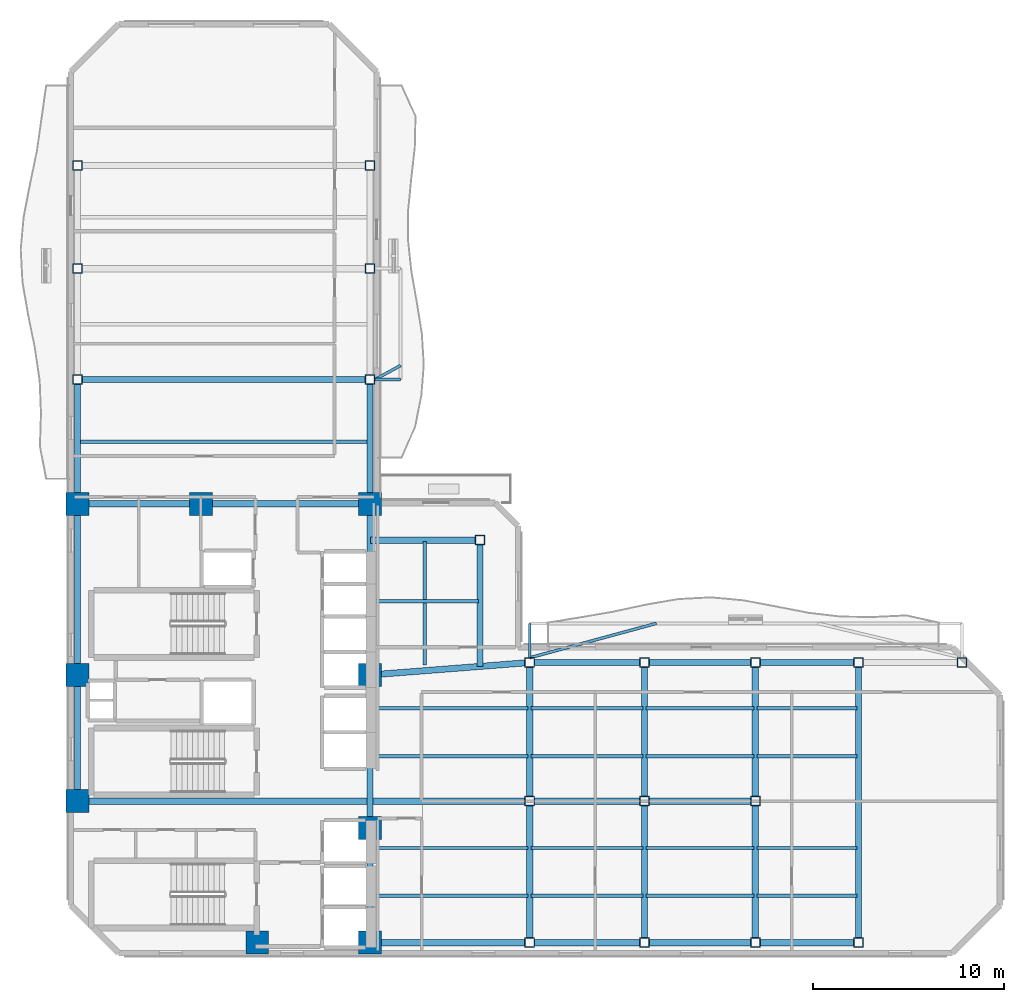
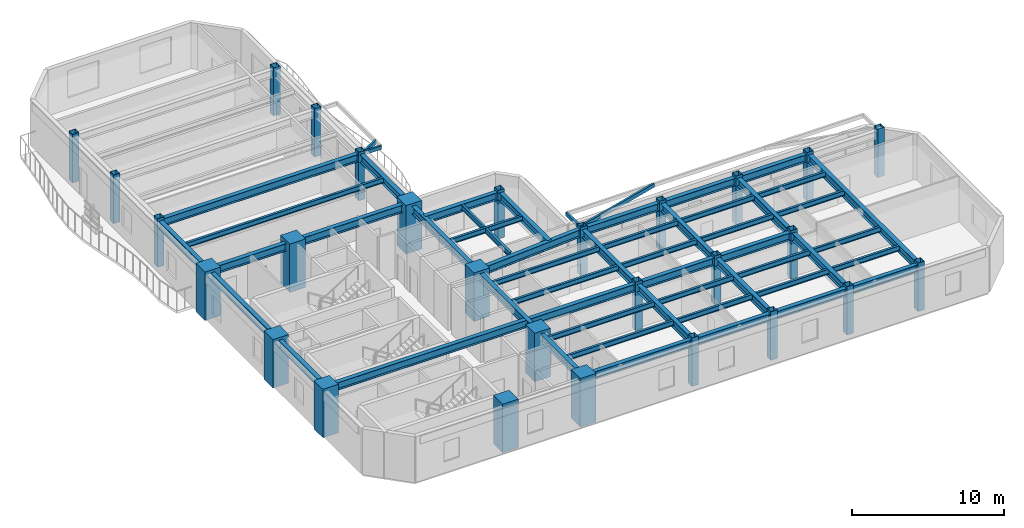
# One storey, part 1 of 12: 53 beams, 28 columns.
"""IFC4 building model written with IfcOpenShell, lengths in metres."""

from ifc_helpers import new_model, si_unit, direction, frame, origin, origin_2d, place, context, subcontext, project, spatial, rectangle, hollow_rectangle, i_section, extrude, material, material_profile, profile_set, type_object, element, save


model = new_model("IFC4")

# Units and contexts
model_context = context("Model", 3, precision=1e-05, world=origin(), true_north=direction((0.0, 1.0)))
body_context = subcontext(model_context, "Body", "Model", "MODEL_VIEW")
ifc_project = project(units=[si_unit("LENGTHUNIT", "METRE"), si_unit("AREAUNIT", "SQUARE_METRE"), si_unit("VOLUMEUNIT", "CUBIC_METRE"), si_unit("PLANEANGLEUNIT", "RADIAN"), si_unit("MASSUNIT", "GRAM", prefix="KILO")], contexts=[model_context])

# Site, building, storey
site_placement = place(None, origin())
site = spatial("IfcSite", under=ifc_project, at=site_placement, CompositionType="ELEMENT")
building_placement = place(site_placement, origin())
building = spatial("IfcBuilding", under=site, at=building_placement, Name="Mawjaban Terraces University", CompositionType="ELEMENT")
storey_placement = place(building_placement, frame((0.0, 0.0, 150.199951171875)))
storey = spatial("IfcBuildingStorey", under=building, at=storey_placement, Name="L36", CompositionType="ELEMENT", Elevation=150.199951171875)

# Columns
ifc_material_1 = material(Name="Concrete C60/75", Category="concrete")
ifc_material_profile_1 = material_profile(ifc_material_1, rectangle(XDim=1.199951171875, YDim=1.199951171875, at=origin_2d()), Name="RC1200X1200")
ifc_profile_set_1 = profile_set([ifc_material_profile_1], Name="Concrete C60/75")
column_type_1 = type_object("IfcColumnType", Name="Col_RC1200X1200", PredefinedType="COLUMN", material=ifc_profile_set_1)
for number, where, z_axis, x_axis, name in (
    (1, (31.75, 0.550048828125, 0.0), (0.0, 0.0, 1.0), (1.0, 0.0, 0.0), "L36 Column CC2"),
    (2, (37.64990234375, 0.550048828125, 0.0), (0.0, 0.0, 1.0), (1.0, 0.0, 0.0), "L36 Column CC3"),
    (3, (22.35009765625, 7.949951171875, 0.0), (0.0, 0.0, 1.0), (1.0, 0.0, 0.0), "L36 Column CC4"),
    (4, (37.64990234375, 6.550048828125, 0.0), (0.0, 0.0, 1.0), (1.0, 0.0, 0.0), "L36 Column CC5"),
    (5, (22.35009765625, 14.550048828125, 0.0), (0.0, 0.0, 1.0), (1.0, 0.0, 0.0), "L36 Column CC6"),
    (6, (37.64990234375, 14.550048828125, 0.0), (0.0, 0.0, 1.0), (1.0, 0.0, 0.0), "L36 Column CC7"),
    (7, (22.35009765625, 23.5, 0.0), (0.0, 0.0, 1.0), (1.0, 0.0, 0.0), "L36 Column CC8"),
    (8, (28.800048828125, 23.5, 0.0), (0.0, 0.0, 1.0), (1.0, 0.0, 0.0), "L36 Column CC9"),
    (9, (37.64990234375, 23.5, 0.0), (0.0, 0.0, 1.0), (1.0, 0.0, 0.0), "L36 Column CC10"),
):
    element("IfcColumn", number, at=place(storey_placement, frame(where, z_axis=z_axis, x_axis=x_axis)), inside=storey, type_object=column_type_1, Name=name, PredefinedType="COLUMN", context=body_context, shape_type="SweptSolid", body=[
        extrude(rectangle(XDim=1.199951171875, YDim=1.199951171875, at=origin_2d()), origin(), (0.0, 0.0, 1.0), 3.900146484375),
    ])
ifc_material_2 = material(Name="Steel EN 10210-1 S355J2H", Category="steel")
ifc_material_profile_2 = material_profile(ifc_material_2, hollow_rectangle(XDim=0.5, YDim=0.5, WallThickness=0.02490234375, at=origin_2d()), Name="SHS500X500X25")
ifc_profile_set_2 = profile_set([ifc_material_profile_2], Name="Steel EN 10210-1 S355J2H")
column_type_2 = type_object("IfcColumnType", Name="Col_SHS500X500X25", PredefinedType="COLUMN", material=ifc_profile_set_2)
for number, where, z_axis, x_axis, name in (
    (10, (46.0, 0.550048828125, 0.0), (0.0, 0.0, 1.0), (1.0, 0.0, 0.0), "L36 Column TE-460-005"),
    (11, (46.0, 7.949951171875, 0.0), (0.0, 0.0, 1.0), (1.0, 0.0, 0.0), "L36 Column TE-460-080"),
    (12, (46.0, 15.199951171875, 0.0), (0.0, 0.0, 1.0), (1.0, 0.0, 0.0), "L36 Column TE-460-152"),
    (13, (52.0, 0.550048828125, 0.0), (0.0, 0.0, 1.0), (1.0, 0.0, 0.0), "L36 Column TE-520-005"),
    (14, (52.0, 7.949951171875, 0.0), (0.0, 0.0, 1.0), (1.0, 0.0, 0.0), "L36 Column TE-520-080"),
    (15, (52.0, 15.199951171875, 0.0), (0.0, 0.0, 1.0), (1.0, 0.0, 0.0), "L36 Column TE-520-152"),
    (16, (57.800048828125, 0.550048828125, 0.0), (0.0, 0.0, 1.0), (1.0, 0.0, 0.0), "L36 Column TE-578-005"),
    (17, (57.800048828125, 7.949951171875, 0.0), (0.0, 0.0, 1.0), (1.0, 0.0, 0.0), "L36 Column TE-578-080"),
    (18, (57.800048828125, 15.199951171875, 0.0), (0.0, 0.0, 1.0), (1.0, 0.0, 0.0), "L36 Column TE-578-152"),
    (19, (63.199951171875, 0.550048828125, 0.0), (0.0, 0.0, 1.0), (1.0, 0.0, 0.0), "L36 Column TE-632-005"),
    (20, (63.199951171875, 15.199951171875, 0.0), (0.0, 0.0, 1.0), (1.0, 0.0, 0.0), "L36 Column TE-632-152"),
    (21, (68.60009765625, 15.199951171875, 0.0), (0.0, 0.0, 1.0), (1.0, 0.0, 0.0), "L36 Column TE-686-152"),
    (22, (22.35009765625, 30.0, 0.0), (0.0, 0.0, 1.0), (1.0, 0.0, 0.0), "L36 Column TN-223-300"),
    (23, (37.64990234375, 30.0, 0.0), (0.0, 0.0, 1.0), (1.0, 0.0, 0.0), "L36 Column TN-376-300"),
    (24, (22.35009765625, 35.800048828125, 0.0), (0.0, 0.0, 1.0), (1.0, 0.0, 0.0), "L36 Column TN-223-358"),
    (25, (37.64990234375, 35.800048828125, 0.0), (0.0, 0.0, 1.0), (1.0, 0.0, 0.0), "L36 Column TN-376-358"),
    (26, (22.35009765625, 41.199951171875, 0.0), (0.0, 0.0, 1.0), (1.0, 0.0, 0.0), "L36 Column TN-223-412"),
    (27, (37.64990234375, 41.199951171875, 0.0), (0.0, 0.0, 1.0), (1.0, 0.0, 0.0), "L36 Column TN-376-412"),
    (28, (43.39990234375, 21.60009765625, 0.0), (0.0, 0.0, 1.0), (1.0, 0.0, 0.0), "L36 Column TS-434-216"),
):
    element("IfcColumn", number, at=place(storey_placement, frame(where, z_axis=z_axis, x_axis=x_axis)), inside=storey, type_object=column_type_2, Name=name, PredefinedType="COLUMN", context=body_context, shape_type="SweptSolid", body=[
        extrude(hollow_rectangle(XDim=0.5, YDim=0.5, WallThickness=0.02490234375, at=origin_2d()), origin(), (0.0, 0.0, 1.0), 3.900146484375),
    ])

# Beams
ifc_material_profile_3 = material_profile(ifc_material_2, hollow_rectangle(XDim=0.14990234375, YDim=0.300048828125, WallThickness=0.012451171875, at=origin_2d()), Name="RHS300X150X12.5")
ifc_profile_set_3 = profile_set([ifc_material_profile_3], Name="Steel EN 10210-1 S355J2H")
beam_type_1 = type_object("IfcBeamType", Name="BalconyCantileverSpandrel_RHS", PredefinedType="SPANDREL", material=ifc_profile_set_3)
beam_1_placement = place(storey_placement, frame((46.0, 15.449951171875, 3.5400390625), z_axis=(0.0, 1.0, 0.0), x_axis=(-1.0, 0.0, 0.0)))
element("IfcBeam", 29, at=beam_1_placement, inside=storey, type_object=beam_type_1, Name="L36 Exterior Outrigger BAL-L37-N.1", PredefinedType="SPANDREL", context=body_context, shape_type="SweptSolid", body=[
    extrude(hollow_rectangle(XDim=0.14990234375, YDim=0.300048828125, WallThickness=0.012451171875, at=origin_2d()), origin(), (0.0, 0.0, 1.0), 1.800048828125),
])
beam_2_placement = place(storey_placement, frame((46.0, 15.449951171875, 3.5400390625), z_axis=(0.965023464681, 0.262163522664, 0.0), x_axis=(-0.262163522664, 0.965023464681, 0.0)))
element("IfcBeam", 30, at=beam_2_placement, inside=storey, type_object=beam_type_1, Name="L36 Exterior Diagonal Strut BAL-L37-N.1", PredefinedType="SPANDREL", context=body_context, shape_type="SweptSolid", body=[
    extrude(hollow_rectangle(XDim=0.14990234375, YDim=0.300048828125, WallThickness=0.012451171875, at=origin_2d()), origin(), (0.0, 0.0, 1.0), 6.8662109375),
])
beam_3_placement = place(storey_placement, frame((37.89990234375, 30.0, 3.5400390625), z_axis=(1.0, 0.0, 0.0), x_axis=(0.0, 1.0, 0.0)))
element("IfcBeam", 31, at=beam_3_placement, inside=storey, type_object=beam_type_1, Name="L36 Exterior Outrigger BAL-L37-E.1", PredefinedType="SPANDREL", context=body_context, shape_type="SweptSolid", body=[
    extrude(hollow_rectangle(XDim=0.14990234375, YDim=0.300048828125, WallThickness=0.012451171875, at=origin_2d()), origin(), (0.0, 0.0, 1.0), 1.35009765625),
])
beam_4_placement = place(storey_placement, frame((37.89990234375, 30.0, 3.5400390625), z_axis=(0.878253422499, 0.478195489176, 0.0), x_axis=(-0.478195489176, 0.878253422499, 0.0)))
element("IfcBeam", 32, at=beam_4_placement, inside=storey, type_object=beam_type_1, Name="L36 Exterior Diagonal Strut BAL-L37-E.1", PredefinedType="SPANDREL", context=body_context, shape_type="SweptSolid", body=[
    extrude(hollow_rectangle(XDim=0.14990234375, YDim=0.300048828125, WallThickness=0.012451171875, at=origin_2d()), origin(), (0.0, 0.0, 1.0), 1.537353515625),
])
ifc_material_3 = material(Name="Steel ASTM A572 Grade 50", Category="steel")
ifc_material_profile_4 = material_profile(ifc_material_3, i_section(OverallWidth=0.324951171875, OverallDepth=0.615966796875, WebThickness=0.013916015625, FlangeThickness=0.021484375, at=origin_2d()), Name="W610X174")
ifc_profile_set_4 = profile_set([ifc_material_profile_4], Name="Steel ASTM A572 Grade 50")
beam_type_2 = type_object("IfcBeamType", Name="Beam_B_W610X174", PredefinedType="BEAM", material=ifc_profile_set_4)
beam_5_placement = place(storey_placement, frame((38.25, 0.550048828125, 3.382080078125), z_axis=(1.0, 0.0, 0.0), x_axis=(0.0, 1.0, 0.0)))
element("IfcBeam", 33, at=beam_5_placement, inside=storey, type_object=beam_type_2, Name="L36 Beam BM-L36-EW-01", PredefinedType="BEAM", context=body_context, shape_type="SweptSolid", body=[
    extrude(i_section(OverallWidth=0.324951171875, OverallDepth=0.615966796875, WebThickness=0.013916015625, FlangeThickness=0.021484375, at=origin_2d()), origin(), (0.0, 0.0, 1.0), 7.5),
])
beam_6_placement = place(storey_placement, frame((46.25, 0.550048828125, 3.382080078125), z_axis=(1.0, 0.0, 0.0), x_axis=(0.0, 1.0, 0.0)))
element("IfcBeam", 34, at=beam_6_placement, inside=storey, type_object=beam_type_2, Name="L36 Beam BM-L36-EW-02", PredefinedType="BEAM", context=body_context, shape_type="SweptSolid", body=[
    extrude(i_section(OverallWidth=0.324951171875, OverallDepth=0.615966796875, WebThickness=0.013916015625, FlangeThickness=0.021484375, at=origin_2d()), origin(), (0.0, 0.0, 1.0), 5.5),
])
beam_7_placement = place(storey_placement, frame((52.25, 0.550048828125, 3.382080078125), z_axis=(1.0, 0.0, 0.0), x_axis=(0.0, 1.0, 0.0)))
element("IfcBeam", 35, at=beam_7_placement, inside=storey, type_object=beam_type_2, Name="L36 Beam BM-L36-EW-03", PredefinedType="BEAM", context=body_context, shape_type="SweptSolid", body=[
    extrude(i_section(OverallWidth=0.324951171875, OverallDepth=0.615966796875, WebThickness=0.013916015625, FlangeThickness=0.021484375, at=origin_2d()), origin(), (0.0, 0.0, 1.0), 5.300048828125),
])
beam_8_placement = place(storey_placement, frame((58.050048828125, 0.550048828125, 3.382080078125), z_axis=(1.0, 0.0, 0.0), x_axis=(0.0, 1.0, 0.0)))
element("IfcBeam", 36, at=beam_8_placement, inside=storey, type_object=beam_type_2, Name="L36 Beam BM-L36-EW-04", PredefinedType="BEAM", context=body_context, shape_type="SweptSolid", body=[
    extrude(i_section(OverallWidth=0.324951171875, OverallDepth=0.615966796875, WebThickness=0.013916015625, FlangeThickness=0.021484375, at=origin_2d()), origin(), (0.0, 0.0, 1.0), 4.89990234375),
])
beam_9_placement = place(storey_placement, frame((22.949951171875, 7.949951171875, 3.382080078125), z_axis=(1.0, 0.0, 0.0), x_axis=(0.0, 1.0, 0.0)))
element("IfcBeam", 37, at=beam_9_placement, inside=storey, type_object=beam_type_2, Name="L36 Beam BM-L36-EW-05", PredefinedType="BEAM", context=body_context, shape_type="SweptSolid", body=[
    extrude(i_section(OverallWidth=0.324951171875, OverallDepth=0.615966796875, WebThickness=0.013916015625, FlangeThickness=0.021484375, at=origin_2d()), origin(), (0.0, 0.0, 1.0), 22.800048828125),
])
beam_10_placement = place(storey_placement, frame((46.25, 7.949951171875, 3.382080078125), z_axis=(1.0, 0.0, 0.0), x_axis=(0.0, 1.0, 0.0)))
element("IfcBeam", 38, at=beam_10_placement, inside=storey, type_object=beam_type_2, Name="L36 Beam BM-L36-EW-06", PredefinedType="BEAM", context=body_context, shape_type="SweptSolid", body=[
    extrude(i_section(OverallWidth=0.324951171875, OverallDepth=0.615966796875, WebThickness=0.013916015625, FlangeThickness=0.021484375, at=origin_2d()), origin(), (0.0, 0.0, 1.0), 5.5),
])
beam_11_placement = place(storey_placement, frame((52.25, 7.949951171875, 3.382080078125), z_axis=(1.0, 0.0, 0.0), x_axis=(0.0, 1.0, 0.0)))
element("IfcBeam", 39, at=beam_11_placement, inside=storey, type_object=beam_type_2, Name="L36 Beam BM-L36-EW-07", PredefinedType="BEAM", context=body_context, shape_type="SweptSolid", body=[
    extrude(i_section(OverallWidth=0.324951171875, OverallDepth=0.615966796875, WebThickness=0.013916015625, FlangeThickness=0.021484375, at=origin_2d()), origin(), (0.0, 0.0, 1.0), 5.300048828125),
])
beam_12_placement = place(storey_placement, frame((46.25, 15.199951171875, 3.382080078125), z_axis=(1.0, 0.0, 0.0), x_axis=(0.0, 1.0, 0.0)))
element("IfcBeam", 40, at=beam_12_placement, inside=storey, type_object=beam_type_2, Name="L36 Beam BM-L36-EW-08", PredefinedType="BEAM", context=body_context, shape_type="SweptSolid", body=[
    extrude(i_section(OverallWidth=0.324951171875, OverallDepth=0.615966796875, WebThickness=0.013916015625, FlangeThickness=0.021484375, at=origin_2d()), origin(), (0.0, 0.0, 1.0), 5.5),
])
beam_13_placement = place(storey_placement, frame((52.25, 15.199951171875, 3.382080078125), z_axis=(1.0, 0.0, 0.0), x_axis=(0.0, 1.0, 0.0)))
element("IfcBeam", 41, at=beam_13_placement, inside=storey, type_object=beam_type_2, Name="L36 Beam BM-L36-EW-09", PredefinedType="BEAM", context=body_context, shape_type="SweptSolid", body=[
    extrude(i_section(OverallWidth=0.324951171875, OverallDepth=0.615966796875, WebThickness=0.013916015625, FlangeThickness=0.021484375, at=origin_2d()), origin(), (0.0, 0.0, 1.0), 5.300048828125),
])
beam_14_placement = place(storey_placement, frame((58.050048828125, 15.199951171875, 3.382080078125), z_axis=(1.0, 0.0, 0.0), x_axis=(0.0, 1.0, 0.0)))
element("IfcBeam", 42, at=beam_14_placement, inside=storey, type_object=beam_type_2, Name="L36 Beam BM-L36-EW-10", PredefinedType="BEAM", context=body_context, shape_type="SweptSolid", body=[
    extrude(i_section(OverallWidth=0.324951171875, OverallDepth=0.615966796875, WebThickness=0.013916015625, FlangeThickness=0.021484375, at=origin_2d()), origin(), (0.0, 0.0, 1.0), 4.89990234375),
])
beam_15_placement = place(storey_placement, frame((22.949951171875, 23.5, 3.382080078125), z_axis=(1.0, 0.0, 0.0), x_axis=(0.0, 1.0, 0.0)))
element("IfcBeam", 43, at=beam_15_placement, inside=storey, type_object=beam_type_2, Name="L36 Beam BM-L36-EW-12", PredefinedType="BEAM", context=body_context, shape_type="SweptSolid", body=[
    extrude(i_section(OverallWidth=0.324951171875, OverallDepth=0.615966796875, WebThickness=0.013916015625, FlangeThickness=0.021484375, at=origin_2d()), origin(), (0.0, 0.0, 1.0), 5.25),
])
beam_16_placement = place(storey_placement, frame((29.39990234375, 23.5, 3.382080078125), z_axis=(1.0, 0.0, 0.0), x_axis=(0.0, 1.0, 0.0)))
element("IfcBeam", 44, at=beam_16_placement, inside=storey, type_object=beam_type_2, Name="L36 Beam BM-L36-EW-13", PredefinedType="BEAM", context=body_context, shape_type="SweptSolid", body=[
    extrude(i_section(OverallWidth=0.324951171875, OverallDepth=0.615966796875, WebThickness=0.013916015625, FlangeThickness=0.021484375, at=origin_2d()), origin(), (0.0, 0.0, 1.0), 7.650146484375),
])
beam_17_placement = place(storey_placement, frame((22.60009765625, 30.0, 3.382080078125), z_axis=(1.0, 0.0, 0.0), x_axis=(0.0, 1.0, 0.0)))
element("IfcBeam", 45, at=beam_17_placement, inside=storey, type_object=beam_type_2, Name="L36 Beam BM-L36-EW-14", PredefinedType="BEAM", context=body_context, shape_type="SweptSolid", body=[
    extrude(i_section(OverallWidth=0.324951171875, OverallDepth=0.615966796875, WebThickness=0.013916015625, FlangeThickness=0.021484375, at=origin_2d()), origin(), (0.0, 0.0, 1.0), 14.7998046875),
])
beam_18_placement = place(storey_placement, frame((22.35009765625, 8.550048828125, 3.382080078125), z_axis=(0.0, 1.0, 0.0), x_axis=(-1.0, 0.0, 0.0)))
element("IfcBeam", 46, at=beam_18_placement, inside=storey, type_object=beam_type_2, Name="L36 Beam BM-L36-NS-01", PredefinedType="BEAM", context=body_context, shape_type="SweptSolid", body=[
    extrude(i_section(OverallWidth=0.324951171875, OverallDepth=0.615966796875, WebThickness=0.013916015625, FlangeThickness=0.021484375, at=origin_2d()), origin(), (0.0, 0.0, 1.0), 5.39990234375),
])
beam_19_placement = place(storey_placement, frame((22.35009765625, 15.14990234375, 3.382080078125), z_axis=(0.0, 1.0, 0.0), x_axis=(-1.0, 0.0, 0.0)))
element("IfcBeam", 47, at=beam_19_placement, inside=storey, type_object=beam_type_2, Name="L36 Beam BM-L36-NS-02", PredefinedType="BEAM", context=body_context, shape_type="SweptSolid", body=[
    extrude(i_section(OverallWidth=0.324951171875, OverallDepth=0.615966796875, WebThickness=0.013916015625, FlangeThickness=0.021484375, at=origin_2d()), origin(), (0.0, 0.0, 1.0), 7.75),
])
beam_20_placement = place(storey_placement, frame((22.35009765625, 24.10009765625, 3.382080078125), z_axis=(0.0, 1.0, 0.0), x_axis=(-1.0, 0.0, 0.0)))
element("IfcBeam", 48, at=beam_20_placement, inside=storey, type_object=beam_type_2, Name="L36 Beam BM-L36-NS-03", PredefinedType="BEAM", context=body_context, shape_type="SweptSolid", body=[
    extrude(i_section(OverallWidth=0.324951171875, OverallDepth=0.615966796875, WebThickness=0.013916015625, FlangeThickness=0.021484375, at=origin_2d()), origin(), (0.0, 0.0, 1.0), 5.64990234375),
])
beam_21_placement = place(storey_placement, frame((37.64990234375, 1.14990234375, 3.382080078125), z_axis=(0.0, 1.0, 0.0), x_axis=(-1.0, 0.0, 0.0)))
element("IfcBeam", 49, at=beam_21_placement, inside=storey, type_object=beam_type_2, Name="L36 Beam BM-L36-NS-06", PredefinedType="BEAM", context=body_context, shape_type="SweptSolid", body=[
    extrude(i_section(OverallWidth=0.324951171875, OverallDepth=0.615966796875, WebThickness=0.013916015625, FlangeThickness=0.021484375, at=origin_2d()), origin(), (0.0, 0.0, 1.0), 4.800048828125),
])
beam_22_placement = place(storey_placement, frame((37.64990234375, 7.14990234375, 3.382080078125), z_axis=(0.0, 1.0, 0.0), x_axis=(-1.0, 0.0, 0.0)))
element("IfcBeam", 50, at=beam_22_placement, inside=storey, type_object=beam_type_2, Name="L36 Beam BM-L36-NS-07", PredefinedType="BEAM", context=body_context, shape_type="SweptSolid", body=[
    extrude(i_section(OverallWidth=0.324951171875, OverallDepth=0.615966796875, WebThickness=0.013916015625, FlangeThickness=0.021484375, at=origin_2d()), origin(), (0.0, 0.0, 1.0), 6.800048828125),
])
beam_23_placement = place(storey_placement, frame((37.64990234375, 15.14990234375, 3.382080078125), z_axis=(0.0, 1.0, 0.0), x_axis=(-1.0, 0.0, 0.0)))
element("IfcBeam", 51, at=beam_23_placement, inside=storey, type_object=beam_type_2, Name="L36 Beam BM-L36-NS-08", PredefinedType="BEAM", context=body_context, shape_type="SweptSolid", body=[
    extrude(i_section(OverallWidth=0.324951171875, OverallDepth=0.615966796875, WebThickness=0.013916015625, FlangeThickness=0.021484375, at=origin_2d()), origin(), (0.0, 0.0, 1.0), 7.75),
])
beam_24_placement = place(storey_placement, frame((37.64990234375, 24.10009765625, 3.382080078125), z_axis=(0.0, 1.0, 0.0), x_axis=(-1.0, 0.0, 0.0)))
element("IfcBeam", 52, at=beam_24_placement, inside=storey, type_object=beam_type_2, Name="L36 Beam BM-L36-NS-09", PredefinedType="BEAM", context=body_context, shape_type="SweptSolid", body=[
    extrude(i_section(OverallWidth=0.324951171875, OverallDepth=0.615966796875, WebThickness=0.013916015625, FlangeThickness=0.021484375, at=origin_2d()), origin(), (0.0, 0.0, 1.0), 5.64990234375),
])
beam_25_placement = place(storey_placement, frame((46.0, 0.800048828125, 3.382080078125), z_axis=(0.0, 1.0, 0.0), x_axis=(-1.0, 0.0, 0.0)))
element("IfcBeam", 53, at=beam_25_placement, inside=storey, type_object=beam_type_2, Name="L36 Beam BM-L36-NS-12", PredefinedType="BEAM", context=body_context, shape_type="SweptSolid", body=[
    extrude(i_section(OverallWidth=0.324951171875, OverallDepth=0.615966796875, WebThickness=0.013916015625, FlangeThickness=0.021484375, at=origin_2d()), origin(), (0.0, 0.0, 1.0), 6.89990234375),
])
beam_26_placement = place(storey_placement, frame((46.0, 8.199951171875, 3.382080078125), z_axis=(0.0, 1.0, 0.0), x_axis=(-1.0, 0.0, 0.0)))
element("IfcBeam", 54, at=beam_26_placement, inside=storey, type_object=beam_type_2, Name="L36 Beam BM-L36-NS-13", PredefinedType="BEAM", context=body_context, shape_type="SweptSolid", body=[
    extrude(i_section(OverallWidth=0.324951171875, OverallDepth=0.615966796875, WebThickness=0.013916015625, FlangeThickness=0.021484375, at=origin_2d()), origin(), (0.0, 0.0, 1.0), 6.75),
])
beam_27_placement = place(storey_placement, frame((52.0, 0.800048828125, 3.382080078125), z_axis=(0.0, 1.0, 0.0), x_axis=(-1.0, 0.0, 0.0)))
element("IfcBeam", 55, at=beam_27_placement, inside=storey, type_object=beam_type_2, Name="L36 Beam BM-L36-NS-14", PredefinedType="BEAM", context=body_context, shape_type="SweptSolid", body=[
    extrude(i_section(OverallWidth=0.324951171875, OverallDepth=0.615966796875, WebThickness=0.013916015625, FlangeThickness=0.021484375, at=origin_2d()), origin(), (0.0, 0.0, 1.0), 6.89990234375),
])
beam_28_placement = place(storey_placement, frame((52.0, 8.199951171875, 3.382080078125), z_axis=(0.0, 1.0, 0.0), x_axis=(-1.0, 0.0, 0.0)))
element("IfcBeam", 56, at=beam_28_placement, inside=storey, type_object=beam_type_2, Name="L36 Beam BM-L36-NS-15", PredefinedType="BEAM", context=body_context, shape_type="SweptSolid", body=[
    extrude(i_section(OverallWidth=0.324951171875, OverallDepth=0.615966796875, WebThickness=0.013916015625, FlangeThickness=0.021484375, at=origin_2d()), origin(), (0.0, 0.0, 1.0), 6.75),
])
beam_29_placement = place(storey_placement, frame((57.800048828125, 0.800048828125, 3.382080078125), z_axis=(0.0, 1.0, 0.0), x_axis=(-1.0, 0.0, 0.0)))
element("IfcBeam", 57, at=beam_29_placement, inside=storey, type_object=beam_type_2, Name="L36 Beam BM-L36-NS-16", PredefinedType="BEAM", context=body_context, shape_type="SweptSolid", body=[
    extrude(i_section(OverallWidth=0.324951171875, OverallDepth=0.615966796875, WebThickness=0.013916015625, FlangeThickness=0.021484375, at=origin_2d()), origin(), (0.0, 0.0, 1.0), 6.89990234375),
])
beam_30_placement = place(storey_placement, frame((57.800048828125, 8.199951171875, 3.382080078125), z_axis=(0.0, 1.0, 0.0), x_axis=(-1.0, 0.0, 0.0)))
element("IfcBeam", 58, at=beam_30_placement, inside=storey, type_object=beam_type_2, Name="L36 Beam BM-L36-NS-17", PredefinedType="BEAM", context=body_context, shape_type="SweptSolid", body=[
    extrude(i_section(OverallWidth=0.324951171875, OverallDepth=0.615966796875, WebThickness=0.013916015625, FlangeThickness=0.021484375, at=origin_2d()), origin(), (0.0, 0.0, 1.0), 6.75),
])
beam_31_placement = place(storey_placement, frame((63.199951171875, 0.800048828125, 3.382080078125), z_axis=(0.0, 1.0, 0.0), x_axis=(-1.0, 0.0, 0.0)))
element("IfcBeam", 59, at=beam_31_placement, inside=storey, type_object=beam_type_2, Name="L36 Beam BM-L36-NS-18", PredefinedType="BEAM", context=body_context, shape_type="SweptSolid", body=[
    extrude(i_section(OverallWidth=0.324951171875, OverallDepth=0.615966796875, WebThickness=0.013916015625, FlangeThickness=0.021484375, at=origin_2d()), origin(), (0.0, 0.0, 1.0), 14.14990234375),
])
beam_32_placement = place(storey_placement, frame((38.248046875, 14.596923828125, 3.382080078125), z_axis=(0.996984614132, 0.077599479273, 0.0), x_axis=(-0.077599479273, 0.996984614132, 0.0)))
element("IfcBeam", 60, at=beam_32_placement, inside=storey, type_object=beam_type_2, Name="L36 Beam BM-L36-CTIE", PredefinedType="BEAM", context=body_context, shape_type="SweptSolid", body=[
    extrude(i_section(OverallWidth=0.324951171875, OverallDepth=0.615966796875, WebThickness=0.013916015625, FlangeThickness=0.021484375, at=origin_2d()), origin(), (0.0, 0.0, 1.0), 7.525634765625),
])
beam_33_placement = place(storey_placement, frame((37.679931640625, 21.60009765625, 3.382080078125), z_axis=(1.0, 0.0, 0.0), x_axis=(0.0, 1.0, 0.0)))
element("IfcBeam", 61, at=beam_33_placement, inside=storey, type_object=beam_type_2, Name="L36 Spur Tie Girder West", PredefinedType="BEAM", context=body_context, shape_type="SweptSolid", body=[
    extrude(i_section(OverallWidth=0.324951171875, OverallDepth=0.615966796875, WebThickness=0.013916015625, FlangeThickness=0.021484375, at=origin_2d()), origin(), (0.0, 0.0, 1.0), 5.469970703125),
])
beam_34_placement = place(storey_placement, frame((43.39990234375, 15.0, 3.382080078125), z_axis=(0.0, 1.0, 0.0), x_axis=(-1.0, 0.0, 0.0)))
element("IfcBeam", 62, at=beam_34_placement, inside=storey, type_object=beam_type_2, Name="L36 Spur Tie Girder South", PredefinedType="BEAM", context=body_context, shape_type="SweptSolid", body=[
    extrude(i_section(OverallWidth=0.324951171875, OverallDepth=0.615966796875, WebThickness=0.013916015625, FlangeThickness=0.021484375, at=origin_2d()), origin(), (0.0, 0.0, 1.0), 6.35009765625),
])
ifc_material_profile_5 = material_profile(ifc_material_3, i_section(OverallWidth=0.179931640625, OverallDepth=0.4130859375, WebThickness=0.009765625, FlangeThickness=0.01611328125, at=origin_2d()), Name="W410X74")
ifc_profile_set_5 = profile_set([ifc_material_profile_5], Name="Steel ASTM A572 Grade 50")
beam_type_3 = type_object("IfcBeamType", Name="Beam_J_W410X74", PredefinedType="JOIST", material=ifc_profile_set_5)
beam_35_placement = place(storey_placement, frame((37.72998046875, 3.0, 3.483154296875), z_axis=(1.0, 0.0, 0.0), x_axis=(0.0, 1.0, 0.0)))
element("IfcBeam", 63, at=beam_35_placement, inside=storey, type_object=beam_type_3, Name="L36 Composite Joist JST-L36-01", PredefinedType="JOIST", context=body_context, shape_type="SweptSolid", body=[
    extrude(i_section(OverallWidth=0.179931640625, OverallDepth=0.4130859375, WebThickness=0.009765625, FlangeThickness=0.01611328125, at=origin_2d()), origin(), (0.0, 0.0, 1.0), 8.18994140625),
])
beam_36_placement = place(storey_placement, frame((46.080078125, 3.0, 3.483154296875), z_axis=(1.0, 0.0, 0.0), x_axis=(0.0, 1.0, 0.0)))
element("IfcBeam", 64, at=beam_36_placement, inside=storey, type_object=beam_type_3, Name="L36 Composite Joist JST-L36-02", PredefinedType="JOIST", context=body_context, shape_type="SweptSolid", body=[
    extrude(i_section(OverallWidth=0.179931640625, OverallDepth=0.4130859375, WebThickness=0.009765625, FlangeThickness=0.01611328125, at=origin_2d()), origin(), (0.0, 0.0, 1.0), 5.83984375),
])
beam_37_placement = place(storey_placement, frame((52.080078125, 3.0, 3.483154296875), z_axis=(1.0, 0.0, 0.0), x_axis=(0.0, 1.0, 0.0)))
element("IfcBeam", 65, at=beam_37_placement, inside=storey, type_object=beam_type_3, Name="L36 Composite Joist JST-L36-03", PredefinedType="JOIST", context=body_context, shape_type="SweptSolid", body=[
    extrude(i_section(OverallWidth=0.179931640625, OverallDepth=0.4130859375, WebThickness=0.009765625, FlangeThickness=0.01611328125, at=origin_2d()), origin(), (0.0, 0.0, 1.0), 5.639892578125),
])
beam_38_placement = place(storey_placement, frame((57.8798828125, 3.0, 3.483154296875), z_axis=(1.0, 0.0, 0.0), x_axis=(0.0, 1.0, 0.0)))
element("IfcBeam", 66, at=beam_38_placement, inside=storey, type_object=beam_type_3, Name="L36 Composite Joist JST-L36-04", PredefinedType="JOIST", context=body_context, shape_type="SweptSolid", body=[
    extrude(i_section(OverallWidth=0.179931640625, OverallDepth=0.4130859375, WebThickness=0.009765625, FlangeThickness=0.01611328125, at=origin_2d()), origin(), (0.0, 0.0, 1.0), 5.240234375),
])
beam_39_placement = place(storey_placement, frame((37.72998046875, 5.5, 3.483154296875), z_axis=(1.0, 0.0, 0.0), x_axis=(0.0, 1.0, 0.0)))
element("IfcBeam", 67, at=beam_39_placement, inside=storey, type_object=beam_type_3, Name="L36 Composite Joist JST-L36-05", PredefinedType="JOIST", context=body_context, shape_type="SweptSolid", body=[
    extrude(i_section(OverallWidth=0.179931640625, OverallDepth=0.4130859375, WebThickness=0.009765625, FlangeThickness=0.01611328125, at=origin_2d()), origin(), (0.0, 0.0, 1.0), 8.18994140625),
])
beam_40_placement = place(storey_placement, frame((46.080078125, 5.5, 3.483154296875), z_axis=(1.0, 0.0, 0.0), x_axis=(0.0, 1.0, 0.0)))
element("IfcBeam", 68, at=beam_40_placement, inside=storey, type_object=beam_type_3, Name="L36 Composite Joist JST-L36-06", PredefinedType="JOIST", context=body_context, shape_type="SweptSolid", body=[
    extrude(i_section(OverallWidth=0.179931640625, OverallDepth=0.4130859375, WebThickness=0.009765625, FlangeThickness=0.01611328125, at=origin_2d()), origin(), (0.0, 0.0, 1.0), 5.83984375),
])
beam_41_placement = place(storey_placement, frame((52.080078125, 5.5, 3.483154296875), z_axis=(1.0, 0.0, 0.0), x_axis=(0.0, 1.0, 0.0)))
element("IfcBeam", 69, at=beam_41_placement, inside=storey, type_object=beam_type_3, Name="L36 Composite Joist JST-L36-07", PredefinedType="JOIST", context=body_context, shape_type="SweptSolid", body=[
    extrude(i_section(OverallWidth=0.179931640625, OverallDepth=0.4130859375, WebThickness=0.009765625, FlangeThickness=0.01611328125, at=origin_2d()), origin(), (0.0, 0.0, 1.0), 5.639892578125),
])
beam_42_placement = place(storey_placement, frame((57.8798828125, 5.5, 3.483154296875), z_axis=(1.0, 0.0, 0.0), x_axis=(0.0, 1.0, 0.0)))
element("IfcBeam", 70, at=beam_42_placement, inside=storey, type_object=beam_type_3, Name="L36 Composite Joist JST-L36-08", PredefinedType="JOIST", context=body_context, shape_type="SweptSolid", body=[
    extrude(i_section(OverallWidth=0.179931640625, OverallDepth=0.4130859375, WebThickness=0.009765625, FlangeThickness=0.01611328125, at=origin_2d()), origin(), (0.0, 0.0, 1.0), 5.240234375),
])
beam_43_placement = place(storey_placement, frame((37.72998046875, 10.300048828125, 3.483154296875), z_axis=(1.0, 0.0, 0.0), x_axis=(0.0, 1.0, 0.0)))
element("IfcBeam", 71, at=beam_43_placement, inside=storey, type_object=beam_type_3, Name="L36 Composite Joist JST-L36-09", PredefinedType="JOIST", context=body_context, shape_type="SweptSolid", body=[
    extrude(i_section(OverallWidth=0.179931640625, OverallDepth=0.4130859375, WebThickness=0.009765625, FlangeThickness=0.01611328125, at=origin_2d()), origin(), (0.0, 0.0, 1.0), 8.18994140625),
])
beam_44_placement = place(storey_placement, frame((46.080078125, 10.300048828125, 3.483154296875), z_axis=(1.0, 0.0, 0.0), x_axis=(0.0, 1.0, 0.0)))
element("IfcBeam", 72, at=beam_44_placement, inside=storey, type_object=beam_type_3, Name="L36 Composite Joist JST-L36-10", PredefinedType="JOIST", context=body_context, shape_type="SweptSolid", body=[
    extrude(i_section(OverallWidth=0.179931640625, OverallDepth=0.4130859375, WebThickness=0.009765625, FlangeThickness=0.01611328125, at=origin_2d()), origin(), (0.0, 0.0, 1.0), 5.83984375),
])
beam_45_placement = place(storey_placement, frame((52.080078125, 10.300048828125, 3.483154296875), z_axis=(1.0, 0.0, 0.0), x_axis=(0.0, 1.0, 0.0)))
element("IfcBeam", 73, at=beam_45_placement, inside=storey, type_object=beam_type_3, Name="L36 Composite Joist JST-L36-11", PredefinedType="JOIST", context=body_context, shape_type="SweptSolid", body=[
    extrude(i_section(OverallWidth=0.179931640625, OverallDepth=0.4130859375, WebThickness=0.009765625, FlangeThickness=0.01611328125, at=origin_2d()), origin(), (0.0, 0.0, 1.0), 5.639892578125),
])
beam_46_placement = place(storey_placement, frame((57.8798828125, 10.300048828125, 3.483154296875), z_axis=(1.0, 0.0, 0.0), x_axis=(0.0, 1.0, 0.0)))
element("IfcBeam", 74, at=beam_46_placement, inside=storey, type_object=beam_type_3, Name="L36 Composite Joist JST-L36-12", PredefinedType="JOIST", context=body_context, shape_type="SweptSolid", body=[
    extrude(i_section(OverallWidth=0.179931640625, OverallDepth=0.4130859375, WebThickness=0.009765625, FlangeThickness=0.01611328125, at=origin_2d()), origin(), (0.0, 0.0, 1.0), 5.240234375),
])
beam_47_placement = place(storey_placement, frame((37.72998046875, 12.800048828125, 3.483154296875), z_axis=(1.0, 0.0, 0.0), x_axis=(0.0, 1.0, 0.0)))
element("IfcBeam", 75, at=beam_47_placement, inside=storey, type_object=beam_type_3, Name="L36 Composite Joist JST-L36-13", PredefinedType="JOIST", context=body_context, shape_type="SweptSolid", body=[
    extrude(i_section(OverallWidth=0.179931640625, OverallDepth=0.4130859375, WebThickness=0.009765625, FlangeThickness=0.01611328125, at=origin_2d()), origin(), (0.0, 0.0, 1.0), 8.18994140625),
])
beam_48_placement = place(storey_placement, frame((46.080078125, 12.800048828125, 3.483154296875), z_axis=(1.0, 0.0, 0.0), x_axis=(0.0, 1.0, 0.0)))
element("IfcBeam", 76, at=beam_48_placement, inside=storey, type_object=beam_type_3, Name="L36 Composite Joist JST-L36-14", PredefinedType="JOIST", context=body_context, shape_type="SweptSolid", body=[
    extrude(i_section(OverallWidth=0.179931640625, OverallDepth=0.4130859375, WebThickness=0.009765625, FlangeThickness=0.01611328125, at=origin_2d()), origin(), (0.0, 0.0, 1.0), 5.83984375),
])
beam_49_placement = place(storey_placement, frame((52.080078125, 12.800048828125, 3.483154296875), z_axis=(1.0, 0.0, 0.0), x_axis=(0.0, 1.0, 0.0)))
element("IfcBeam", 77, at=beam_49_placement, inside=storey, type_object=beam_type_3, Name="L36 Composite Joist JST-L36-15", PredefinedType="JOIST", context=body_context, shape_type="SweptSolid", body=[
    extrude(i_section(OverallWidth=0.179931640625, OverallDepth=0.4130859375, WebThickness=0.009765625, FlangeThickness=0.01611328125, at=origin_2d()), origin(), (0.0, 0.0, 1.0), 5.639892578125),
])
beam_50_placement = place(storey_placement, frame((57.8798828125, 12.800048828125, 3.483154296875), z_axis=(1.0, 0.0, 0.0), x_axis=(0.0, 1.0, 0.0)))
element("IfcBeam", 78, at=beam_50_placement, inside=storey, type_object=beam_type_3, Name="L36 Composite Joist JST-L36-16", PredefinedType="JOIST", context=body_context, shape_type="SweptSolid", body=[
    extrude(i_section(OverallWidth=0.179931640625, OverallDepth=0.4130859375, WebThickness=0.009765625, FlangeThickness=0.01611328125, at=origin_2d()), origin(), (0.0, 0.0, 1.0), 5.240234375),
])
beam_51_placement = place(storey_placement, frame((37.72998046875, 18.39990234375, 3.483154296875), z_axis=(1.0, 0.0, 0.0), x_axis=(0.0, 1.0, 0.0)))
element("IfcBeam", 79, at=beam_51_placement, inside=storey, type_object=beam_type_3, Name="L36 Composite Joist JST-L36-17", PredefinedType="JOIST", context=body_context, shape_type="SweptSolid", body=[
    extrude(i_section(OverallWidth=0.179931640625, OverallDepth=0.4130859375, WebThickness=0.009765625, FlangeThickness=0.01611328125, at=origin_2d()), origin(), (0.0, 0.0, 1.0), 5.590087890625),
])
beam_52_placement = place(storey_placement, frame((22.429931640625, 26.75, 3.483154296875), z_axis=(1.0, 0.0, 0.0), x_axis=(0.0, 1.0, 0.0)))
element("IfcBeam", 80, at=beam_52_placement, inside=storey, type_object=beam_type_3, Name="L36 Composite Joist JST-L36-18", PredefinedType="JOIST", context=body_context, shape_type="SweptSolid", body=[
    extrude(i_section(OverallWidth=0.179931640625, OverallDepth=0.4130859375, WebThickness=0.009765625, FlangeThickness=0.01611328125, at=origin_2d()), origin(), (0.0, 0.0, 1.0), 15.14013671875),
])
beam_53_placement = place(storey_placement, frame((40.5, 15.080078125, 3.483154296875), z_axis=(0.0, 1.0, 0.0), x_axis=(-1.0, 0.0, 0.0)))
element("IfcBeam", 81, at=beam_53_placement, inside=storey, type_object=beam_type_3, Name="L36 Composite Joist JST-L36-NS-21", PredefinedType="JOIST", context=body_context, shape_type="SweptSolid", body=[
    extrude(i_section(OverallWidth=0.179931640625, OverallDepth=0.4130859375, WebThickness=0.009765625, FlangeThickness=0.01611328125, at=origin_2d()), origin(), (0.0, 0.0, 1.0), 6.43994140625),
])

save(model, "model.ifc")
